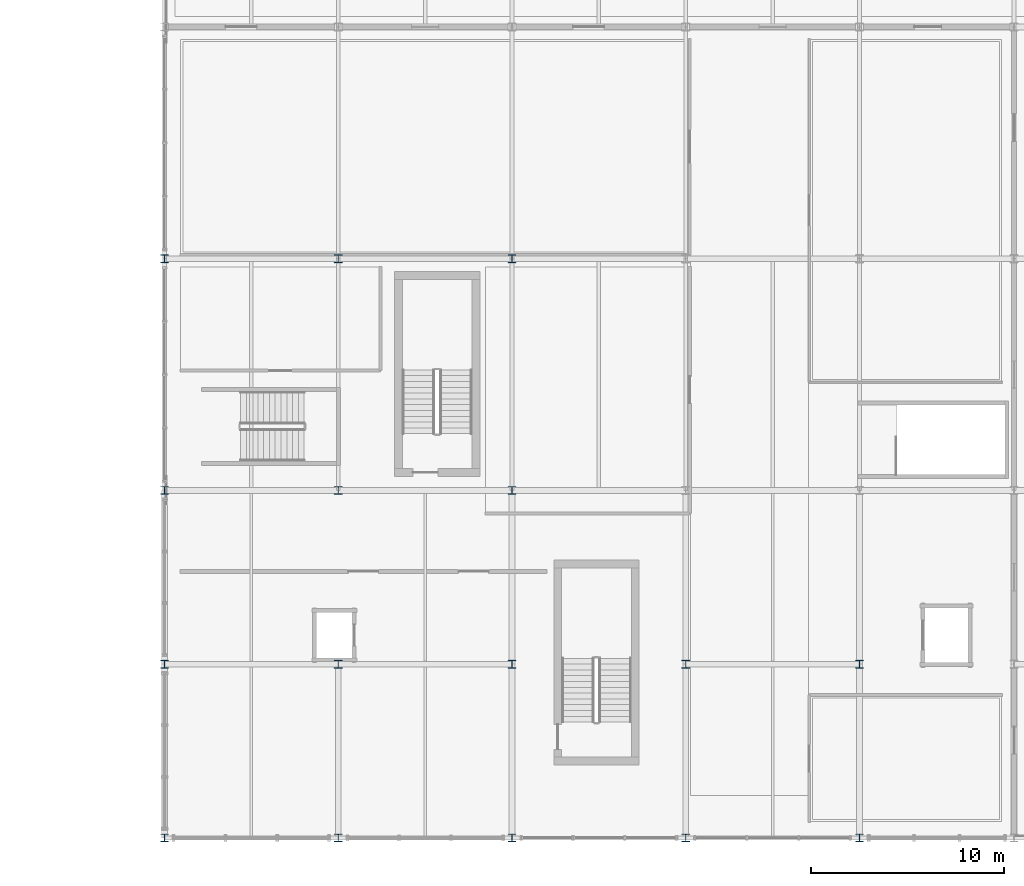
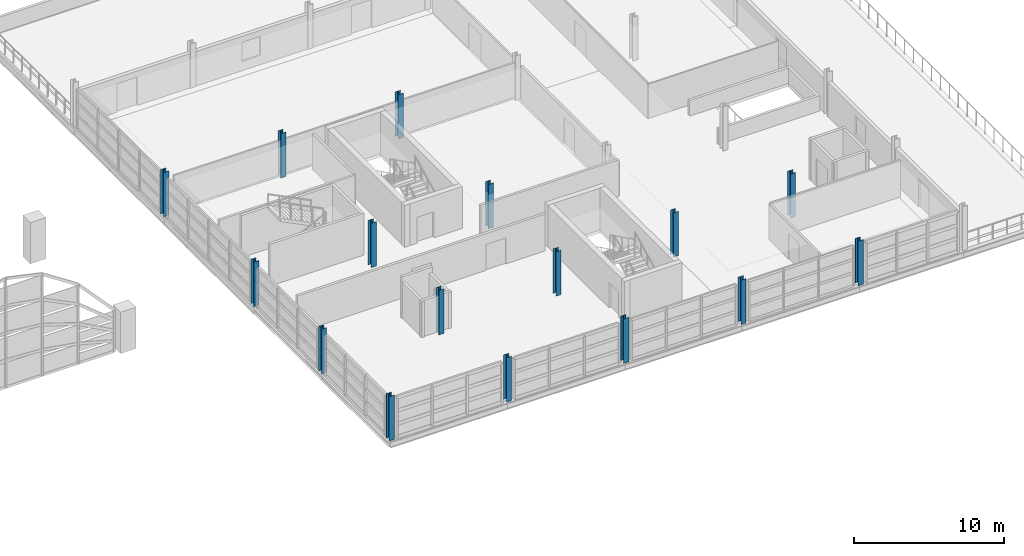
# One storey, part 12 of 116: 16 columns.
"""IFC4 building model written with IfcOpenShell, lengths in metres."""

from ifc_helpers import new_model, si_unit, direction, frame, origin, origin_2d, place, context, subcontext, project, spatial, i_section, extrude, material, material_profile, profile_set, type_object, element, save


model = new_model("IFC4")

# Units and contexts
model_context = context("Model", 3, precision=1e-05, world=origin(), true_north=direction((0.0, 1.0)))
body_context = subcontext(model_context, "Body", "Model", "MODEL_VIEW")
ifc_project = project(units=[si_unit("LENGTHUNIT", "METRE"), si_unit("AREAUNIT", "SQUARE_METRE"), si_unit("VOLUMEUNIT", "CUBIC_METRE"), si_unit("PLANEANGLEUNIT", "RADIAN"), si_unit("MASSUNIT", "GRAM", prefix="KILO")], contexts=[model_context])

# Site, building, storey
site_placement = place(None, origin())
site = spatial("IfcSite", under=ifc_project, at=site_placement, CompositionType="ELEMENT")
building_placement = place(site_placement, origin())
building = spatial("IfcBuilding", under=site, at=building_placement, Name="Chuanluo Vaults Station", CompositionType="ELEMENT")
storey_placement = place(building_placement, frame((0.0, 0.0, 10.800048828125)))
storey = spatial("IfcBuildingStorey", under=building, at=storey_placement, Name="L02", CompositionType="ELEMENT", Elevation=10.800048828125)

# Columns
ifc_material = material(Name="Steel Q355C", Category="steel")
ifc_material_profile = material_profile(ifc_material, i_section(OverallWidth=0.39990234375, OverallDepth=0.39990234375, WebThickness=0.012939453125, FlangeThickness=0.02099609375, FilletRadius=0.02197265625, at=origin_2d()))
ifc_profile_set = profile_set([ifc_material_profile], Name="Steel Q355C")
column_type = type_object("IfcColumnType", Name="COL-STL-HW400", PredefinedType="COLUMN", material=ifc_profile_set)
for number, where, z_axis, x_axis, name in (
    (1, (136.0, 0.0, 0.0), (0.0, 0.0, 1.0), (1.0, 0.0, 0.0), "Column L02-084"),
    (2, (136.0, 9.0, 0.0), (0.0, 0.0, 1.0), (1.0, 0.0, 0.0), "Column L02-085"),
    (3, (136.0, 18.0, 0.0), (0.0, 0.0, 1.0), (1.0, 0.0, 0.0), "Column L02-086"),
    (4, (136.0, 30.0, 0.0), (0.0, 0.0, 1.0), (1.0, 0.0, 0.0), "Column L02-087"),
    (5, (145.0, 0.0, 0.0), (0.0, 0.0, 1.0), (1.0, 0.0, 0.0), "Column L02-097"),
    (6, (145.0, 9.0, 0.0), (0.0, 0.0, 1.0), (1.0, 0.0, 0.0), "Column L02-098"),
    (7, (145.0, 18.0, 0.0), (0.0, 0.0, 1.0), (1.0, 0.0, 0.0), "Column L02-099"),
    (8, (145.0, 30.0, 0.0), (0.0, 0.0, 1.0), (1.0, 0.0, 0.0), "Column L02-100"),
    (9, (154.0, 0.0, 0.0), (0.0, 0.0, 1.0), (1.0, 0.0, 0.0), "Column L02-110"),
    (10, (154.0, 9.0, 0.0), (0.0, 0.0, 1.0), (1.0, 0.0, 0.0), "Column L02-111"),
    (11, (154.0, 18.0, 0.0), (0.0, 0.0, 1.0), (1.0, 0.0, 0.0), "Column L02-112"),
    (12, (154.0, 30.0, 0.0), (0.0, 0.0, 1.0), (1.0, 0.0, 0.0), "Column L02-113"),
    (13, (163.0, 0.0, 0.0), (0.0, 0.0, 1.0), (1.0, 0.0, 0.0), "Column L02-123"),
    (14, (163.0, 9.0, 0.0), (0.0, 0.0, 1.0), (1.0, 0.0, 0.0), "Column L02-124"),
    (15, (172.0, 0.0, 0.0), (0.0, 0.0, 1.0), (1.0, 0.0, 0.0), "Column L02-136"),
    (16, (172.0, 9.0, 0.0), (0.0, 0.0, 1.0), (1.0, 0.0, 0.0), "Column L02-137"),
):
    element("IfcColumn", number, at=place(storey_placement, frame(where, z_axis=z_axis, x_axis=x_axis)), inside=storey, type_object=column_type, Name=name, PredefinedType="COLUMN", context=body_context, shape_type="SweptSolid", body=[
        extrude(i_section(OverallWidth=0.39990234375, OverallDepth=0.39990234375, WebThickness=0.012939453125, FlangeThickness=0.02099609375, FilletRadius=0.02197265625, at=origin_2d()), origin(), (0.0, 0.0, 1.0), 3.599853515625),
    ])

save(model, "model.ifc")
